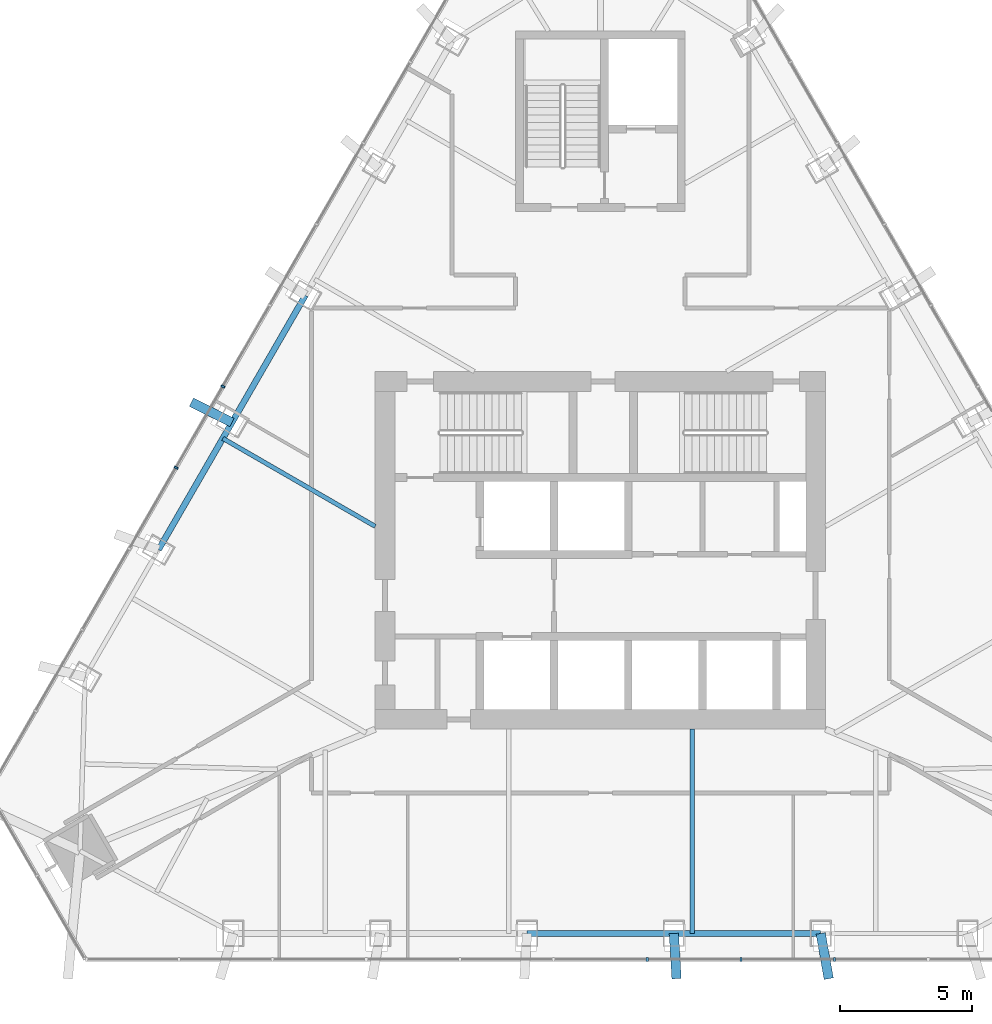
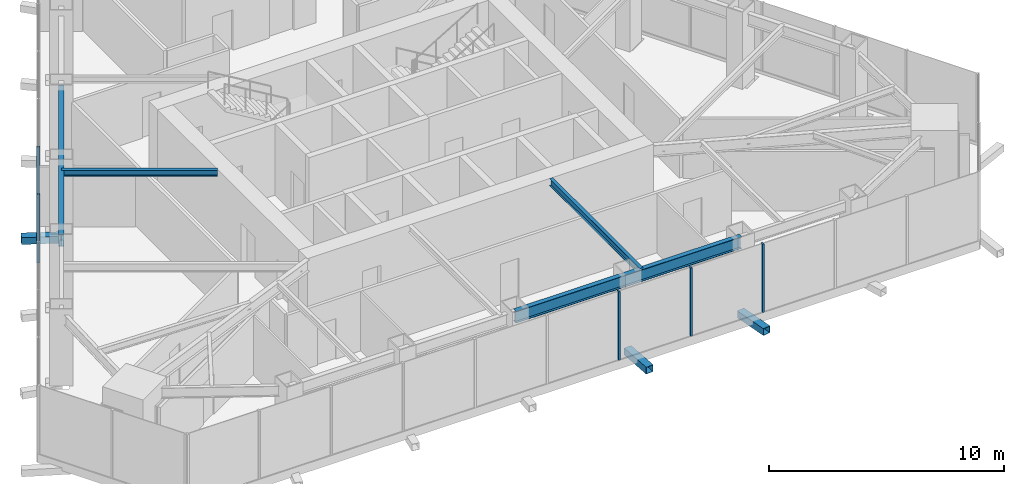
# One storey, part 4 of 14: 8 members, 4 beams, 2 elements without a shape of their own.
"""IFC4 building model written with IfcOpenShell, lengths in metres."""

from ifc_helpers import new_model, si_unit, direction, frame, origin, origin_2d, place, context, subcontext, project, spatial, rectangle, hollow_rectangle, i_section, extrude, material, layer, layer_set, material_profile, profile_set, type_object, element, aggregate, save


model = new_model("IFC4")

# Units and contexts
model_context = context("Model", 3, precision=1e-05, world=origin(), true_north=direction((0.0, 1.0)))
body_context = subcontext(model_context, "Body", "Model", "MODEL_VIEW")
ifc_project = project(units=[si_unit("LENGTHUNIT", "METRE"), si_unit("AREAUNIT", "SQUARE_METRE"), si_unit("VOLUMEUNIT", "CUBIC_METRE"), si_unit("PLANEANGLEUNIT", "RADIAN"), si_unit("MASSUNIT", "GRAM", prefix="KILO")], contexts=[model_context])

# Site, building, storey
site_placement = place(None, origin())
site = spatial("IfcSite", under=ifc_project, at=site_placement, CompositionType="ELEMENT")
building_placement = place(site_placement, origin())
building = spatial("IfcBuilding", under=site, at=building_placement, Name="Firuza Gate Tower and Library", CompositionType="ELEMENT")
storey_placement = place(building_placement, frame((0.0, 0.0, 331.60009765625)))
storey = spatial("IfcBuildingStorey", under=building, at=storey_placement, Name="L81", CompositionType="ELEMENT", Elevation=331.60009765625)

# Curtain wall, members
ifc_material_1 = material(Name="Aluminium 6063-T6", Category="aluminium")
ifc_layer = layer(ifc_material_1, 0.14990234375)
ifc_layer_set = layer_set([ifc_layer], Name="Ceramic screen wall, crown plant")
curtain_wall_type = type_object("IfcCurtainWallType", Name="Ceramic screen wall, crown plant", PredefinedType="NOTDEFINED", material=ifc_layer_set)
placement = place(storey_placement, origin())
curtain_wall_1 = element("IfcCurtainWall", 1, at=placement, inside=storey, type_object=curtain_wall_type, Name="CW6 L81 S", PredefinedType="NOTDEFINED")
ifc_material_2 = material(Name="Aluminium 6063-T6", Category="aluminium")
ifc_material_profile_1 = material_profile(ifc_material_2, rectangle(XDim=0.14990234375, YDim=0.080078125, at=origin_2d()))
ifc_profile_set_1 = profile_set([ifc_material_profile_1], Name="Aluminium 6063-T6")
member_type_1 = type_object("IfcMemberType", Name="Curtain wall mullion 80x150", PredefinedType="MULLION", material=ifc_profile_set_1)
member_1_placement = place(storey_placement, frame((76.767578125, 59.5673828125, 0.14990234375), z_axis=(0.0, 0.0, 1.0), x_axis=(0.0, 1.0, 0.0)))
member_1 = element("IfcMember", 2, at=member_1_placement, type_object=member_type_1, Name="Mullion", PredefinedType="MULLION", context=body_context, shape_type="SweptSolid", body=[
    extrude(rectangle(XDim=0.14990234375, YDim=0.080078125, at=origin_2d()), origin(), (0.0, 0.0, 1.0), 3.550048828125),
])
member_2_placement = place(storey_placement, frame((80.302734375, 59.5673828125, 0.14990234375), z_axis=(0.0, 0.0, 1.0), x_axis=(0.0, 1.0, 0.0)))
member_2 = element("IfcMember", 3, at=member_2_placement, type_object=member_type_1, Name="Mullion", PredefinedType="MULLION", context=body_context, shape_type="SweptSolid", body=[
    extrude(rectangle(XDim=0.14990234375, YDim=0.080078125, at=origin_2d()), origin(), (0.0, 0.0, 1.0), 3.550048828125),
])
member_3_placement = place(storey_placement, frame((83.837890625, 59.5673828125, 0.14990234375), z_axis=(0.0, 0.0, 1.0), x_axis=(0.0, 1.0, 0.0)))
member_3 = element("IfcMember", 4, at=member_3_placement, type_object=member_type_1, Name="Mullion", PredefinedType="MULLION", context=body_context, shape_type="SweptSolid", body=[
    extrude(rectangle(XDim=0.14990234375, YDim=0.080078125, at=origin_2d()), origin(), (0.0, 0.0, 1.0), 3.550048828125),
])
aggregate(curtain_wall_1, [member_1, member_2, member_3])

curtain_wall_2 = element("IfcCurtainWall", 5, at=placement, inside=storey, type_object=curtain_wall_type, Name="CW6 L81 W", PredefinedType="NOTDEFINED")
member_4_placement = place(storey_placement, frame((60.751220703125, 81.185546875, 0.14990234375), z_axis=(0.0, 0.0, 1.0), x_axis=(0.866025403784, -0.5, 0.0)))
member_4 = element("IfcMember", 6, at=member_4_placement, type_object=member_type_1, Name="Mullion", PredefinedType="MULLION", context=body_context, shape_type="SweptSolid", body=[
    extrude(rectangle(XDim=0.14990234375, YDim=0.080078125, at=origin_2d()), origin(), (0.0, 0.0, 1.0), 3.550048828125),
])
member_5_placement = place(storey_placement, frame((58.983642578125, 78.1240234375, 0.14990234375), z_axis=(0.0, 0.0, 1.0), x_axis=(0.866025403784, -0.5, 0.0)))
member_5 = element("IfcMember", 7, at=member_5_placement, type_object=member_type_1, Name="Mullion", PredefinedType="MULLION", context=body_context, shape_type="SweptSolid", body=[
    extrude(rectangle(XDim=0.14990234375, YDim=0.080078125, at=origin_2d()), origin(), (0.0, 0.0, 1.0), 3.550048828125),
])
aggregate(curtain_wall_2, [member_4, member_5])

# Members
ifc_material_3 = material(Name="Steel S355", Category="steel")
ifc_material_profile_2 = material_profile(ifc_material_3, hollow_rectangle(XDim=0.355712890625, YDim=0.355712890625, WallThickness=0.014892578125, at=origin_2d()))
ifc_profile_set_2 = profile_set([ifc_material_profile_2], Name="Steel S355")
member_type_2 = type_object("IfcMemberType", Name="HSS356x356x16 Lattice node tie", PredefinedType="BRACE", material=ifc_profile_set_2)
member_6_placement = place(storey_placement, frame((77.771484375, 60.54248046875, -0.320068359375), z_axis=(0.058839227239, -0.998267471842, 0.0), x_axis=(0.998267471842, 0.058839227239, 0.0)))
element("IfcMember", 8, at=member_6_placement, inside=storey, type_object=member_type_2, Name="Lattice node tie S L81 613", PredefinedType="BRACE", context=body_context, shape_type="SweptSolid", body=[
    extrude(hollow_rectangle(XDim=0.355712890625, YDim=0.355712890625, WallThickness=0.014892578125, at=origin_2d()), origin(), (0.0, 0.0, 1.0), 1.70947265625),
])
member_7_placement = place(storey_placement, frame((83.314208984375, 60.54248046875, -0.320068359375), z_axis=(0.174122859054, -0.98472393591, 0.0), x_axis=(0.98472393591, 0.174122859054, 0.0)))
element("IfcMember", 9, at=member_7_placement, inside=storey, type_object=member_type_2, Name="Lattice node tie S L81 614", PredefinedType="BRACE", context=body_context, shape_type="SweptSolid", body=[
    extrude(hollow_rectangle(XDim=0.355712890625, YDim=0.355712890625, WallThickness=0.014892578125, at=origin_2d()), origin(), (0.0, 0.0, 1.0), 1.73291015625),
])
member_8_placement = place(storey_placement, frame((61.09375, 79.82861328125, -0.320068359375), z_axis=(-0.893941059043, 0.448184541185, 0.0), x_axis=(-0.448184541185, -0.893941059043, 0.0)))
element("IfcMember", 10, at=member_8_placement, inside=storey, type_object=member_type_2, Name="Lattice node tie W L81 620", PredefinedType="BRACE", context=body_context, shape_type="SweptSolid", body=[
    extrude(hollow_rectangle(XDim=0.355712890625, YDim=0.355712890625, WallThickness=0.014892578125, at=origin_2d()), origin(), (0.0, 0.0, 1.0), 1.70947265625),
])

# Beams
ifc_material_4 = material(Name="Steel S355", Category="steel")
ifc_material_profile_3 = material_profile(ifc_material_4, i_section(OverallWidth=0.1650390625, OverallDepth=0.31005859375, WebThickness=0.005859375, FlangeThickness=0.009765625, at=origin_2d()))
ifc_profile_set_3 = profile_set([ifc_material_profile_3], Name="Steel S355")
beam_type_1 = type_object("IfcBeamType", Name="W310x39 Floor beam", PredefinedType="JOIST", material=ifc_profile_set_3)
beam_1_placement = place(storey_placement, frame((60.747314453125, 79.228515625, 3.544921875), z_axis=(0.866027065173, -0.499997122379, 0.0), x_axis=(0.499997122379, 0.866027065173, 0.0)))
element("IfcBeam", 11, at=beam_1_placement, inside=storey, type_object=beam_type_1, Name="Floor beam L81 s82", PredefinedType="JOIST", context=body_context, shape_type="SweptSolid", body=[
    extrude(i_section(OverallWidth=0.1650390625, OverallDepth=0.31005859375, WebThickness=0.005859375, FlangeThickness=0.009765625, at=origin_2d()), origin(), (0.0, 0.0, 1.0), 6.642578125),
])
ifc_material_5 = material(Name="Steel S355", Category="steel")
ifc_material_profile_4 = material_profile(ifc_material_5, i_section(OverallWidth=0.1708984375, OverallDepth=0.35498046875, WebThickness=0.007080078125, FlangeThickness=0.01171875, at=origin_2d()))
ifc_profile_set_4 = profile_set([ifc_material_profile_4], Name="Steel S355")
beam_type_2 = type_object("IfcBeamType", Name="W360x51 Floor beam", PredefinedType="JOIST", material=ifc_profile_set_4)
beam_2_placement = place(storey_placement, frame((78.46435546875, 60.54248046875, 3.5224609375), z_axis=(0.0, 1.0, 0.0), x_axis=(-1.0, 0.0, 0.0)))
element("IfcBeam", 12, at=beam_2_placement, inside=storey, type_object=beam_type_2, Name="Floor beam L81 s22", PredefinedType="JOIST", context=body_context, shape_type="SweptSolid", body=[
    extrude(i_section(OverallWidth=0.1708984375, OverallDepth=0.35498046875, WebThickness=0.007080078125, FlangeThickness=0.01171875, at=origin_2d()), origin(), (0.0, 0.0, 1.0), 7.70751953125),
])
ifc_material_6 = material(Name="Steel S355", Category="steel")
ifc_material_profile_5 = material_profile(ifc_material_6, i_section(OverallWidth=0.22900390625, OverallDepth=0.612060546875, WebThickness=0.011962890625, FlangeThickness=0.01953125, at=origin_2d()))
ifc_profile_set_5 = profile_set([ifc_material_profile_5], Name="Steel S355")
beam_type_3 = type_object("IfcBeamType", Name="W610x125 Edge beam", PredefinedType="SPANDREL", material=ifc_profile_set_5)
beam_3_placement = place(storey_placement, frame((72.228515625, 60.54248046875, 3.393798828125), z_axis=(1.0, 0.0, 0.0), x_axis=(0.0, 1.0, 0.0)))
element("IfcBeam", 13, at=beam_3_placement, inside=storey, type_object=beam_type_3, Name="Edge beam L81 e22", PredefinedType="SPANDREL", context=body_context, shape_type="SweptSolid", body=[
    extrude(i_section(OverallWidth=0.22900390625, OverallDepth=0.612060546875, WebThickness=0.011962890625, FlangeThickness=0.01953125, at=origin_2d()), origin(), (0.0, 0.0, 1.0), 11.085693359375),
])
beam_4_placement = place(storey_placement, frame((63.865234375, 84.62890625, 3.393798828125), z_axis=(-0.500004591975, -0.86602275259, 0.0), x_axis=(0.86602275259, -0.500004591975, 0.0)))
element("IfcBeam", 14, at=beam_4_placement, inside=storey, type_object=beam_type_3, Name="Edge beam L81 e82", PredefinedType="SPANDREL", context=body_context, shape_type="SweptSolid", body=[
    extrude(i_section(OverallWidth=0.22900390625, OverallDepth=0.612060546875, WebThickness=0.011962890625, FlangeThickness=0.01953125, at=origin_2d()), origin(), (0.0, 0.0, 1.0), 11.0859375),
])

save(model, "model.ifc")
